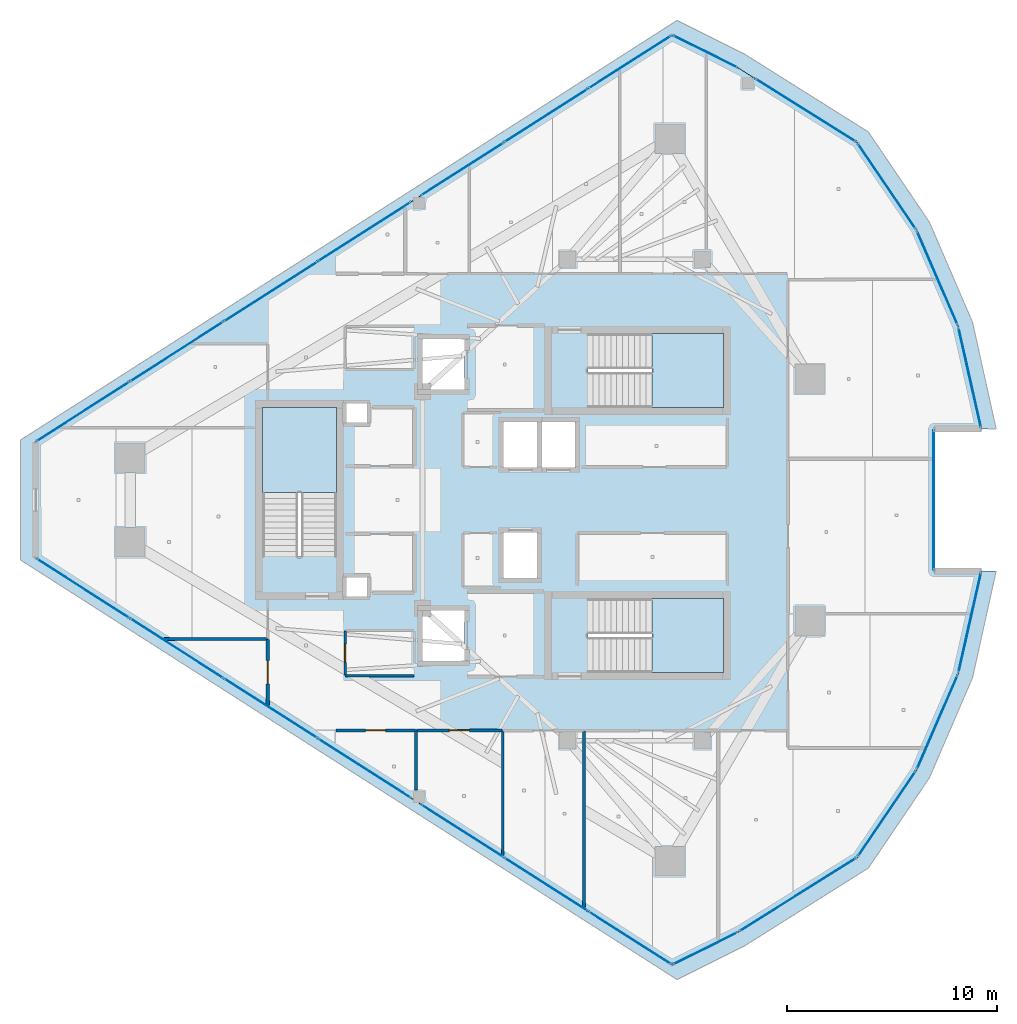
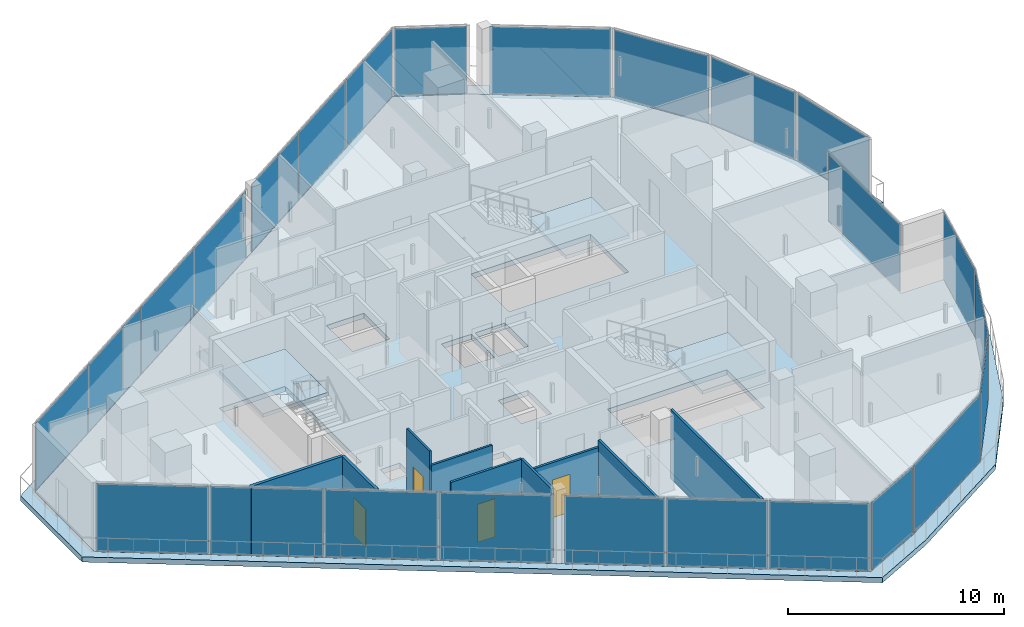
# One storey, part 15 of 25: 25 plates, 9 walls, 5 slabs, 4 doors, 4 openings, 18 elements without a shape of their own.
"""IFC4 building model written with IfcOpenShell, lengths in metres."""

import ifcopenshell
import ifcopenshell.guid

model = None  # the IFC model being written
_history = None  # IfcOwnerHistory: only IFC2X3 demands one
_inside = {}  # id of a spatial element -> (the spatial element, [elements in it])
_under = {}  # id of a project, library or spatial element -> (it, [spatial elements below it])
_declared = {}  # id of a project -> (the project, [libraries it declares])
_typed = {}  # id of a type object -> (the type object, [elements of that type])
_made_of = {}  # id of a material, layer set ... -> (it, [elements and type objects made of it])


def new_model(schema):
    """Start an empty IFC model of exactly this schema.

    Asked for "IFC4X3", IfcOpenShell would pick the latest addendum, in which some entities
    have other attributes; the version numbers below select the first issue.
    IFC2X3 requires an IfcOwnerHistory on every rooted entity: one is made here for all.
    """
    global model, _history
    if schema == "IFC4X3":
        model = ifcopenshell.file(schema_version=(4, 3, 0, 0))
    else:
        model = ifcopenshell.file(schema=schema)
    _inside.clear()
    _under.clear()
    _declared.clear()
    _typed.clear()
    _made_of.clear()
    _history = None
    if model.schema == "IFC2X3":
        org = make("IfcOrganization", Name="unknown")
        user = make(
            "IfcPersonAndOrganization",
            ThePerson=make("IfcPerson", FamilyName="unknown"),
            TheOrganization=org,
        )
        app = make(
            "IfcApplication",
            ApplicationDeveloper=org,
            Version="unknown",
            ApplicationFullName="unknown",
            ApplicationIdentifier="unknown",
        )
        _history = make(
            "IfcOwnerHistory",
            OwningUser=user,
            OwningApplication=app,
            ChangeAction="ADDED",
            CreationDate=0,
        )
    return model


def make(cls, **values):
    """One entity of the class cls with the attributes given. An attribute that is None is left unset."""
    return model.create_entity(
        cls, **{name: value for name, value in values.items() if value is not None}
    )


def rooted(cls, **values):
    """An entity with a GlobalId (a new one), such as an element, a storey or a relation."""
    return make(cls, GlobalId=ifcopenshell.guid.new(), OwnerHistory=_history, **values)


def si_unit(unit_type, name, prefix=None):
    """IfcSIUnit, for example si_unit("LENGTHUNIT", "METRE", prefix="MILLI")."""
    return make("IfcSIUnit", UnitType=unit_type, Prefix=prefix, Name=name)


def assignment(units):
    """IfcUnitAssignment: the units of a project."""
    return None if units is None else make("IfcUnitAssignment", Units=units)


def point(xyz):
    """IfcCartesianPoint."""
    return None if xyz is None else make("IfcCartesianPoint", Coordinates=xyz)


def direction(xyz):
    """IfcDirection."""
    return None if xyz is None else make("IfcDirection", DirectionRatios=xyz)


def frame(location, z_axis=None, x_axis=None):
    """IfcAxis2Placement3D, a coordinate frame: its origin and axes. An axis left out is left unset."""
    return make(
        "IfcAxis2Placement3D",
        Location=point(location),
        Axis=direction(z_axis),
        RefDirection=direction(x_axis),
    )


def frame_2d(location, x_axis=None):
    """IfcAxis2Placement2D, a coordinate frame in the plane: its origin and x axis."""
    return make(
        "IfcAxis2Placement2D", Location=point(location), RefDirection=direction(x_axis)
    )


def origin():
    """The frame at (0, 0, 0) with its axes left unset."""
    return frame((0.0, 0.0, 0.0))


def origin_2d():
    """The frame at (0, 0) in the plane with its x axis left unset."""
    return frame_2d((0.0, 0.0))


def place(relative_to, where):
    """IfcLocalPlacement: puts the frame where relative to a parent placement (None: the world)."""
    return make(
        "IfcLocalPlacement", PlacementRelTo=relative_to, RelativePlacement=where
    )


def context(
    kind, dimensions, precision=None, world=None, true_north=None, identifier=None
):
    """IfcGeometricRepresentationContext, for example the 3D "Model" context."""
    return make(
        "IfcGeometricRepresentationContext",
        ContextIdentifier=identifier,
        ContextType=kind,
        CoordinateSpaceDimension=dimensions,
        Precision=precision,
        WorldCoordinateSystem=world,
        TrueNorth=true_north,
    )


def subcontext(parent, identifier, kind, view, scale=None):
    """IfcGeometricRepresentationSubContext, for example "Body" below "Model"."""
    return make(
        "IfcGeometricRepresentationSubContext",
        ContextIdentifier=identifier,
        ContextType=kind,
        ParentContext=parent,
        TargetScale=scale,
        TargetView=view,
    )


def project(units=None, contexts=None):
    """IfcProject with its units and contexts."""
    return rooted(
        "IfcProject",
        Name="project",
        RepresentationContexts=contexts,
        UnitsInContext=assignment(units),
    )


def spatial(cls, under=None, at=None, **own):
    """A site, building, storey or space (cls), placed at a placement, below another one or the project."""
    s = rooted(cls, ObjectPlacement=at, **own)
    if under is not None:
        _under.setdefault(under.id(), (under, []))[1].append(s)
    return s


def polyline(points):
    """IfcPolyline through the points."""
    return make("IfcPolyline", Points=[point(p) for p in points])


def profile(cls, at=None, kind="AREA", **sizes):
    """A parametric profile (cls). Its sizes go by their IFC names, for example OverallWidth=200.0."""
    return make(cls, ProfileType=kind, Position=at, **sizes)


def rectangle(**sizes):
    """IfcRectangleProfileDef."""
    return profile("IfcRectangleProfileDef", **sizes)


def outline(outer, holes=None, kind="AREA"):
    """IfcArbitraryClosedProfileDef: a profile drawn as a closed curve; with holes, ...WithVoids."""
    if holes is None:
        return make("IfcArbitraryClosedProfileDef", ProfileType=kind, OuterCurve=outer)
    return make(
        "IfcArbitraryProfileDefWithVoids",
        ProfileType=kind,
        OuterCurve=outer,
        InnerCurves=holes,
    )


def extrude(swept, where, along, depth):
    """IfcExtrudedAreaSolid: the profile swept, set in the frame where, extruded along a direction by depth."""
    return make(
        "IfcExtrudedAreaSolid",
        SweptArea=swept,
        Position=where,
        ExtrudedDirection=direction(along),
        Depth=depth,
    )


def shape(context_of_items, identifier, shape_type, items):
    """IfcShapeRepresentation: the items that make up one representation, for example the "Body"."""
    return make(
        "IfcShapeRepresentation",
        ContextOfItems=context_of_items,
        RepresentationIdentifier=identifier,
        RepresentationType=shape_type,
        Items=items,
    )


def material(Name=None, Category=None):
    """IfcMaterial."""
    return make("IfcMaterial", Name=Name, Category=Category)


def layer(
    of_material, thickness, ventilated=None, Name=None, Category=None, Priority=None
):
    """IfcMaterialLayer: one layer of a wall or slab, of a material (None: an air gap)."""
    return make(
        "IfcMaterialLayer",
        Material=of_material,
        LayerThickness=thickness,
        IsVentilated=ventilated,
        Name=Name,
        Category=Category,
        Priority=Priority,
    )


def layer_set(layers, Name=None):
    """IfcMaterialLayerSet."""
    return make("IfcMaterialLayerSet", MaterialLayers=layers, LayerSetName=Name)


def made_of(thing, what):
    """Note that an element or type object is made of a material, layer set ...; save() writes the relation."""
    if what is not None:
        _made_of.setdefault(what.id(), (what, []))[1].append(thing)
    return thing


def type_object(cls, material=None, **own):
    """A type object (cls), such as IfcWallType, which elements share."""
    return made_of(rooted(cls, **own), material)


def element(
    cls,
    number,
    at=None,
    inside=None,
    cuts=None,
    type_object=None,
    material=None,
    context=None,
    identifier="Body",
    shape_type=None,
    held_by="IfcProductDefinitionShape",
    body=None,
    shapes=None,
    **own,
):
    """One element of the class cls, such as IfcWall. Its Tag is "e" and its number.

    at: its placement. inside: the storey or other place that contains it. cuts: it is an
    opening in that element (IfcRelVoidsElement). A single representation is given by context,
    identifier, shape_type and body (its items); several are given by shapes. held_by: the class
    of the entity that holds the representations. save() writes the other relations.
    """
    e = rooted(cls, Tag="e%d" % number, ObjectPlacement=at, **own)
    if body is not None:
        shapes = [shape(context, identifier, shape_type, body)]
    if shapes is not None:
        e.Representation = make(held_by, Representations=shapes)
    if inside is not None:
        _inside.setdefault(inside.id(), (inside, []))[1].append(e)
    if cuts is not None:
        rooted(
            "IfcRelVoidsElement", RelatingBuildingElement=cuts, RelatedOpeningElement=e
        )
    if type_object is not None:
        _typed.setdefault(type_object.id(), (type_object, []))[1].append(e)
    return made_of(e, material)


def fill(opening, filler):
    """IfcRelFillsElement: the door or window that sits in an opening."""
    return rooted(
        "IfcRelFillsElement",
        RelatingOpeningElement=opening,
        RelatedBuildingElement=filler,
    )


def aggregate(whole, parts):
    """IfcRelAggregates: a whole, such as a stair, and the parts it consists of."""
    return rooted("IfcRelAggregates", RelatingObject=whole, RelatedObjects=parts)


def save(model, path):
    """Write the relations noted so far, then the file.

    IfcRelAggregates (storeys below a building ...), IfcRelContainedInSpatialStructure (elements
    in a storey), IfcRelDefinesByType, IfcRelAssociatesMaterial and IfcRelDeclares: one each for
    every whole, place, type object, material and project.
    """
    for whole, parts in _under.values():
        aggregate(whole, parts)
    for where, things in _inside.values():
        rooted(
            "IfcRelContainedInSpatialStructure",
            RelatedElements=things,
            RelatingStructure=where,
        )
    for kind, things in _typed.values():
        rooted("IfcRelDefinesByType", RelatedObjects=things, RelatingType=kind)
    for what, things in _made_of.values():
        rooted("IfcRelAssociatesMaterial", RelatedObjects=things, RelatingMaterial=what)
    for by, libraries in _declared.values():
        rooted("IfcRelDeclares", RelatingContext=by, RelatedDefinitions=libraries)
    model.write(path)


model = new_model("IFC4")

# Units and contexts
model_context = context("Model", 3, precision=1e-05, world=origin(), true_north=direction((0.0, 1.0)))
body_context = subcontext(model_context, "Body", "Model", "MODEL_VIEW")
ifc_project = project(units=[si_unit("LENGTHUNIT", "METRE"), si_unit("AREAUNIT", "SQUARE_METRE"), si_unit("VOLUMEUNIT", "CUBIC_METRE"), si_unit("PLANEANGLEUNIT", "RADIAN"), si_unit("MASSUNIT", "GRAM", prefix="KILO")], contexts=[model_context])

# Site, building, storey
site_placement = place(None, origin())
site = spatial("IfcSite", under=ifc_project, at=site_placement, CompositionType="ELEMENT")
building_placement = place(site_placement, origin())
building = spatial("IfcBuilding", under=site, at=building_placement, Name="Qorvath Tower", CompositionType="ELEMENT")
storey_placement = place(building_placement, frame((0.0, 0.0, 306.0)))
storey = spatial("IfcBuildingStorey", under=building, at=storey_placement, Name="L71", CompositionType="ELEMENT", Elevation=306.0)

# Curtain wall, plates
ifc_material_1 = material(Name="Anodised aluminium and triple low-E glass", Category="aluminium")
ifc_layer_1 = layer(ifc_material_1, 0.179931640625)
ifc_layer_set_1 = layer_set([ifc_layer_1], Name="CW-SYS-4")
curtain_wall_type = type_object("IfcCurtainWallType", Name="CW-SYS-4", PredefinedType="NOTDEFINED", material=ifc_layer_set_1)
curtain_wall_1_placement = place(storey_placement, origin())
curtain_wall_1 = element("IfcCurtainWall", 1, at=curtain_wall_1_placement, inside=storey, type_object=curtain_wall_type, Name="Curtain Wall CW-4 CW-T-L71-2.1", PredefinedType="NOTDEFINED")
ifc_material_2 = material(Name="Acoustic laminated low-E glass", Category="glass")
ifc_layer_2 = layer(ifc_material_2, 0.0380859375)
ifc_layer_set_2 = layer_set([ifc_layer_2], Name="CWP-GLZ-38")
plate_type = type_object("IfcPlateType", Name="CWP-GLZ-38", PredefinedType="CURTAIN_PANEL", material=ifc_layer_set_2)
plate_1_placement = place(storey_placement, frame((-46.646240234375, -4.204345703125, 0.06494140625), z_axis=(0.0, 0.0, 1.0), x_axis=(0.842601697255, -0.538537259419, 0.0)))
plate_1 = element("IfcPlate", 2, at=plate_1_placement, type_object=plate_type, Name="CW-4 panel 1.1", PredefinedType="CURTAIN_PANEL", context=body_context, shape_type="SweptSolid", body=[
    extrude(rectangle(XDim=5.19921875, YDim=0.0380859375, at=origin_2d()), origin(), (0.0, 0.0, 1.0), 3.77978515625),
])
plate_2_placement = place(storey_placement, frame((-42.1865234375, -7.0546875, 0.06494140625), z_axis=(0.0, 0.0, 1.0), x_axis=(0.842601697255, -0.538537259419, 0.0)))
plate_2 = element("IfcPlate", 3, at=plate_2_placement, type_object=plate_type, Name="CW-4 panel 2.1", PredefinedType="CURTAIN_PANEL", context=body_context, shape_type="SweptSolid", body=[
    extrude(rectangle(XDim=5.23681640625, YDim=0.0380859375, at=origin_2d()), origin(), (0.0, 0.0, 1.0), 3.77978515625),
])
plate_3_placement = place(storey_placement, frame((-37.710693359375, -9.915283203125, 0.06494140625), z_axis=(0.0, 0.0, 1.0), x_axis=(0.842601697255, -0.538537259419, 0.0)))
plate_3 = element("IfcPlate", 4, at=plate_3_placement, type_object=plate_type, Name="CW-4 panel 3.1", PredefinedType="CURTAIN_PANEL", context=body_context, shape_type="SweptSolid", body=[
    extrude(rectangle(XDim=5.23681640625, YDim=0.0380859375, at=origin_2d()), origin(), (0.0, 0.0, 1.0), 3.77978515625),
])
plate_4_placement = place(storey_placement, frame((-33.2509765625, -12.765625, 0.06494140625), z_axis=(0.0, 0.0, 1.0), x_axis=(0.842601697255, -0.538537259419, 0.0)))
plate_4 = element("IfcPlate", 5, at=plate_4_placement, type_object=plate_type, Name="CW-4 panel 4.1", PredefinedType="CURTAIN_PANEL", context=body_context, shape_type="SweptSolid", body=[
    extrude(rectangle(XDim=5.19921875, YDim=0.0380859375, at=origin_2d()), origin(), (0.0, 0.0, 1.0), 3.77978515625),
])
aggregate(curtain_wall_1, [plate_1, plate_2, plate_3, plate_4])

curtain_wall_2_placement = place(storey_placement, origin())
curtain_wall_2 = element("IfcCurtainWall", 6, at=curtain_wall_2_placement, inside=storey, type_object=curtain_wall_type, Name="Curtain Wall CW-4 CW-T-L71-2.2", PredefinedType="NOTDEFINED")
plate_5_placement = place(storey_placement, frame((-28.609619140625, -15.732177734375, 0.06494140625), z_axis=(0.0, 0.0, 1.0), x_axis=(0.842604350765, -0.538533107683, 0.0)))
plate_5 = element("IfcPlate", 7, at=plate_5_placement, type_object=plate_type, Name="CW-4 panel 1.1", PredefinedType="CURTAIN_PANEL", context=body_context, shape_type="SweptSolid", body=[
    extrude(rectangle(XDim=4.632568359375, YDim=0.0380859375, at=origin_2d()), origin(), (0.0, 0.0, 1.0), 3.77978515625),
])
plate_6_placement = place(storey_placement, frame((-24.627197265625, -18.27734375, 0.06494140625), z_axis=(0.0, 0.0, 1.0), x_axis=(0.842604350765, -0.538533107683, 0.0)))
plate_6 = element("IfcPlate", 8, at=plate_6_placement, type_object=plate_type, Name="CW-4 panel 2.1", PredefinedType="CURTAIN_PANEL", context=body_context, shape_type="SweptSolid", body=[
    extrude(rectangle(XDim=4.670166015625, YDim=0.0380859375, at=origin_2d()), origin(), (0.0, 0.0, 1.0), 3.77978515625),
])
plate_7_placement = place(storey_placement, frame((-20.644775390625, -20.822509765625, 0.06494140625), z_axis=(0.0, 0.0, 1.0), x_axis=(0.842604350765, -0.538533107683, 0.0)))
plate_7 = element("IfcPlate", 9, at=plate_7_placement, type_object=plate_type, Name="CW-4 panel 3.1", PredefinedType="CURTAIN_PANEL", context=body_context, shape_type="SweptSolid", body=[
    extrude(rectangle(XDim=4.632568359375, YDim=0.0380859375, at=origin_2d()), origin(), (0.0, 0.0, 1.0), 3.77978515625),
])
aggregate(curtain_wall_2, [plate_5, plate_6, plate_7])

# Curtain wall, plate
curtain_wall_3_placement = place(storey_placement, origin())
curtain_wall_3 = element("IfcCurtainWall", 10, at=curtain_wall_3_placement, inside=storey, type_object=curtain_wall_type, Name="Curtain Wall CW-4 CW-T-L71-3.1", PredefinedType="NOTDEFINED")
plate_8_placement = place(storey_placement, frame((-17.050537109375, -21.32080078125, 0.06494140625), z_axis=(0.0, 0.0, 1.0), x_axis=(0.894421527703, 0.447224921915, 0.0)))
plate_8 = element("IfcPlate", 11, at=plate_8_placement, type_object=plate_type, Name="CW-4 panel 1.1", PredefinedType="CURTAIN_PANEL", context=body_context, shape_type="SweptSolid", body=[
    extrude(rectangle(XDim=3.381591796875, YDim=0.0380859375, at=origin_2d()), origin(), (0.0, 0.0, 1.0), 3.77978515625),
])
aggregate(curtain_wall_3, [plate_8])

curtain_wall_4_placement = place(storey_placement, origin())
curtain_wall_4 = element("IfcCurtainWall", 12, at=curtain_wall_4_placement, inside=storey, type_object=curtain_wall_type, Name="Curtain Wall CW-4 CW-T-L71-4.1", PredefinedType="NOTDEFINED")
plate_9_placement = place(storey_placement, frame((-12.64990234375, -18.76123046875, 0.06494140625), z_axis=(0.0, 0.0, 1.0), x_axis=(0.847150424099, 0.531353139586, 0.0)))
plate_9 = element("IfcPlate", 13, at=plate_9_placement, type_object=plate_type, Name="CW-4 panel 1.1", PredefinedType="CURTAIN_PANEL", context=body_context, shape_type="SweptSolid", body=[
    extrude(rectangle(XDim=6.510986328125, YDim=0.0380859375, at=origin_2d()), origin(), (0.0, 0.0, 1.0), 3.77978515625),
])
aggregate(curtain_wall_4, [plate_9])

curtain_wall_5_placement = place(storey_placement, origin())
curtain_wall_5 = element("IfcCurtainWall", 14, at=curtain_wall_5_placement, inside=storey, type_object=curtain_wall_type, Name="Curtain Wall CW-4 CW-T-L71-5.1", PredefinedType="NOTDEFINED")
plate_10_placement = place(storey_placement, frame((-8.4228515625, -14.923095703125, 0.06494140625), z_axis=(0.0, 0.0, 1.0), x_axis=(0.562028356166, 0.827117964298, 0.0)))
plate_10 = element("IfcPlate", 15, at=plate_10_placement, type_object=plate_type, Name="CW-4 panel 1.1", PredefinedType="CURTAIN_PANEL", context=body_context, shape_type="SweptSolid", body=[
    extrude(rectangle(XDim=4.851806640625, YDim=0.0380859375, at=origin_2d()), origin(), (0.0, 0.0, 1.0), 3.77978515625),
])
aggregate(curtain_wall_5, [plate_10])

curtain_wall_6_placement = place(storey_placement, origin())
curtain_wall_6 = element("IfcCurtainWall", 16, at=curtain_wall_6_placement, inside=storey, type_object=curtain_wall_type, Name="Curtain Wall CW-4 CW-T-L71-6.1", PredefinedType="NOTDEFINED")
plate_11_placement = place(storey_placement, frame((-6.022705078125, -10.56005859375, 0.06494140625), z_axis=(0.0, 0.0, 1.0), x_axis=(0.397706747219, 0.917512584773, 0.0)))
plate_11 = element("IfcPlate", 17, at=plate_11_placement, type_object=plate_type, Name="CW-4 panel 1.1", PredefinedType="CURTAIN_PANEL", context=body_context, shape_type="SweptSolid", body=[
    extrude(rectangle(XDim=4.8515625, YDim=0.0380859375, at=origin_2d()), origin(), (0.0, 0.0, 1.0), 3.77978515625),
])
aggregate(curtain_wall_6, [plate_11])

curtain_wall_7_placement = place(storey_placement, origin())
curtain_wall_7 = element("IfcCurtainWall", 18, at=curtain_wall_7_placement, inside=storey, type_object=curtain_wall_type, Name="Curtain Wall CW-4 CW-T-L71-7.1", PredefinedType="NOTDEFINED")
plate_12_placement = place(storey_placement, frame((-4.4794921875, -5.82568359375, 0.06494140625), z_axis=(0.0, 0.0, 1.0), x_axis=(0.21940229808, 0.975634476429, 0.0)))
plate_12 = element("IfcPlate", 19, at=plate_12_placement, type_object=plate_type, Name="CW-4 panel 1.1", PredefinedType="CURTAIN_PANEL", context=body_context, shape_type="SweptSolid", body=[
    extrude(rectangle(XDim=4.851806640625, YDim=0.0380859375, at=origin_2d()), origin(), (0.0, 0.0, 1.0), 3.77978515625),
])
aggregate(curtain_wall_7, [plate_12])

curtain_wall_8_placement = place(storey_placement, origin())
curtain_wall_8 = element("IfcCurtainWall", 20, at=curtain_wall_8_placement, inside=storey, type_object=curtain_wall_type, Name="Curtain Wall CW-4 CW-T-L71-9.1", PredefinedType="NOTDEFINED")
plate_13_placement = place(storey_placement, frame((-6.18798828125, 0.0, 0.06494140625), z_axis=(0.0, 0.0, 1.0), x_axis=(0.0, 1.0, 0.0)))
plate_13 = element("IfcPlate", 21, at=plate_13_placement, type_object=plate_type, Name="CW-4 panel 1.1", PredefinedType="CURTAIN_PANEL", context=body_context, shape_type="SweptSolid", body=[
    extrude(rectangle(XDim=6.621337890625, YDim=0.0380859375, at=origin_2d()), origin(), (0.0, 0.0, 1.0), 3.77978515625),
])
aggregate(curtain_wall_8, [plate_13])

curtain_wall_9_placement = place(storey_placement, origin())
curtain_wall_9 = element("IfcCurtainWall", 22, at=curtain_wall_9_placement, inside=storey, type_object=curtain_wall_type, Name="Curtain Wall CW-4 CW-T-L71-11.1", PredefinedType="NOTDEFINED")
plate_14_placement = place(storey_placement, frame((-4.4794921875, 5.82568359375, 0.06494140625), z_axis=(0.0, 0.0, 1.0), x_axis=(-0.21940229808, 0.975634476429, 0.0)))
plate_14 = element("IfcPlate", 23, at=plate_14_placement, type_object=plate_type, Name="CW-4 panel 1.1", PredefinedType="CURTAIN_PANEL", context=body_context, shape_type="SweptSolid", body=[
    extrude(rectangle(XDim=4.851806640625, YDim=0.0380859375, at=origin_2d()), origin(), (0.0, 0.0, 1.0), 3.77978515625),
])
aggregate(curtain_wall_9, [plate_14])

curtain_wall_10_placement = place(storey_placement, origin())
curtain_wall_10 = element("IfcCurtainWall", 24, at=curtain_wall_10_placement, inside=storey, type_object=curtain_wall_type, Name="Curtain Wall CW-4 CW-T-L71-12.1", PredefinedType="NOTDEFINED")
plate_15_placement = place(storey_placement, frame((-6.022705078125, 10.56005859375, 0.06494140625), z_axis=(0.0, 0.0, 1.0), x_axis=(-0.397706747219, 0.917512584773, 0.0)))
plate_15 = element("IfcPlate", 25, at=plate_15_placement, type_object=plate_type, Name="CW-4 panel 1.1", PredefinedType="CURTAIN_PANEL", context=body_context, shape_type="SweptSolid", body=[
    extrude(rectangle(XDim=4.8515625, YDim=0.0380859375, at=origin_2d()), origin(), (0.0, 0.0, 1.0), 3.77978515625),
])
aggregate(curtain_wall_10, [plate_15])

curtain_wall_11_placement = place(storey_placement, origin())
curtain_wall_11 = element("IfcCurtainWall", 26, at=curtain_wall_11_placement, inside=storey, type_object=curtain_wall_type, Name="Curtain Wall CW-4 CW-T-L71-13.1", PredefinedType="NOTDEFINED")
plate_16_placement = place(storey_placement, frame((-8.4228515625, 14.923095703125, 0.06494140625), z_axis=(0.0, 0.0, 1.0), x_axis=(-0.562028356166, 0.827117964298, 0.0)))
plate_16 = element("IfcPlate", 27, at=plate_16_placement, type_object=plate_type, Name="CW-4 panel 1.1", PredefinedType="CURTAIN_PANEL", context=body_context, shape_type="SweptSolid", body=[
    extrude(rectangle(XDim=4.851806640625, YDim=0.0380859375, at=origin_2d()), origin(), (0.0, 0.0, 1.0), 3.77978515625),
])
aggregate(curtain_wall_11, [plate_16])

curtain_wall_12_placement = place(storey_placement, origin())
curtain_wall_12 = element("IfcCurtainWall", 28, at=curtain_wall_12_placement, inside=storey, type_object=curtain_wall_type, Name="Curtain Wall CW-4 CW-T-L71-14.1", PredefinedType="NOTDEFINED")
plate_17_placement = place(storey_placement, frame((-12.27734375, 18.527587890625, 0.06494140625), z_axis=(0.0, 0.0, 1.0), x_axis=(-0.847146947134, 0.531358682964, 0.0)))
plate_17 = element("IfcPlate", 29, at=plate_17_placement, type_object=plate_type, Name="CW-4 panel 1.1", PredefinedType="CURTAIN_PANEL", context=body_context, shape_type="SweptSolid", body=[
    extrude(rectangle(XDim=5.63134765625, YDim=0.0380859375, at=origin_2d()), origin(), (0.0, 0.0, 1.0), 3.77978515625),
])
aggregate(curtain_wall_12, [plate_17])

curtain_wall_13_placement = place(storey_placement, origin())
curtain_wall_13 = element("IfcCurtainWall", 30, at=curtain_wall_13_placement, inside=storey, type_object=curtain_wall_type, Name="Curtain Wall CW-4 CW-T-L71-15.1", PredefinedType="NOTDEFINED")
plate_18_placement = place(storey_placement, frame((-17.050537109375, 21.32080078125, 0.06494140625), z_axis=(0.0, 0.0, 1.0), x_axis=(-0.894421527703, 0.447224921915, 0.0)))
plate_18 = element("IfcPlate", 31, at=plate_18_placement, type_object=plate_type, Name="CW-4 panel 1.1", PredefinedType="CURTAIN_PANEL", context=body_context, shape_type="SweptSolid", body=[
    extrude(rectangle(XDim=3.381591796875, YDim=0.0380859375, at=origin_2d()), origin(), (0.0, 0.0, 1.0), 3.77978515625),
])
aggregate(curtain_wall_13, [plate_18])

# Curtain wall, plates
curtain_wall_14_placement = place(storey_placement, origin())
curtain_wall_14 = element("IfcCurtainWall", 32, at=curtain_wall_14_placement, inside=storey, type_object=curtain_wall_type, Name="Curtain Wall CW-4 CW-T-L71-16.1", PredefinedType="NOTDEFINED")
plate_19_placement = place(storey_placement, frame((-20.644775390625, 20.822509765625, 0.06494140625), z_axis=(0.0, 0.0, 1.0), x_axis=(-0.842604350765, -0.538533107683, 0.0)))
plate_19 = element("IfcPlate", 33, at=plate_19_placement, type_object=plate_type, Name="CW-4 panel 1.1", PredefinedType="CURTAIN_PANEL", context=body_context, shape_type="SweptSolid", body=[
    extrude(rectangle(XDim=4.632568359375, YDim=0.0380859375, at=origin_2d()), origin(), (0.0, 0.0, 1.0), 3.77978515625),
])
plate_20_placement = place(storey_placement, frame((-24.627197265625, 18.27734375, 0.06494140625), z_axis=(0.0, 0.0, 1.0), x_axis=(-0.842604350765, -0.538533107683, 0.0)))
plate_20 = element("IfcPlate", 34, at=plate_20_placement, type_object=plate_type, Name="CW-4 panel 2.1", PredefinedType="CURTAIN_PANEL", context=body_context, shape_type="SweptSolid", body=[
    extrude(rectangle(XDim=4.670166015625, YDim=0.0380859375, at=origin_2d()), origin(), (0.0, 0.0, 1.0), 3.77978515625),
])
plate_21_placement = place(storey_placement, frame((-28.609619140625, 15.732177734375, 0.06494140625), z_axis=(0.0, 0.0, 1.0), x_axis=(-0.842604350765, -0.538533107683, 0.0)))
plate_21 = element("IfcPlate", 35, at=plate_21_placement, type_object=plate_type, Name="CW-4 panel 3.1", PredefinedType="CURTAIN_PANEL", context=body_context, shape_type="SweptSolid", body=[
    extrude(rectangle(XDim=4.632568359375, YDim=0.0380859375, at=origin_2d()), origin(), (0.0, 0.0, 1.0), 3.77978515625),
])
aggregate(curtain_wall_14, [plate_19, plate_20, plate_21])

curtain_wall_15_placement = place(storey_placement, origin())
curtain_wall_15 = element("IfcCurtainWall", 36, at=curtain_wall_15_placement, inside=storey, type_object=curtain_wall_type, Name="Curtain Wall CW-4 CW-T-L71-16.2", PredefinedType="NOTDEFINED")
plate_22_placement = place(storey_placement, frame((-33.2509765625, 12.765625, 0.06494140625), z_axis=(0.0, 0.0, 1.0), x_axis=(-0.842601697255, -0.538537259419, 0.0)))
plate_22 = element("IfcPlate", 37, at=plate_22_placement, type_object=plate_type, Name="CW-4 panel 1.1", PredefinedType="CURTAIN_PANEL", context=body_context, shape_type="SweptSolid", body=[
    extrude(rectangle(XDim=5.19921875, YDim=0.0380859375, at=origin_2d()), origin(), (0.0, 0.0, 1.0), 3.77978515625),
])
plate_23_placement = place(storey_placement, frame((-37.710693359375, 9.915283203125, 0.06494140625), z_axis=(0.0, 0.0, 1.0), x_axis=(-0.842601697255, -0.538537259419, 0.0)))
plate_23 = element("IfcPlate", 38, at=plate_23_placement, type_object=plate_type, Name="CW-4 panel 2.1", PredefinedType="CURTAIN_PANEL", context=body_context, shape_type="SweptSolid", body=[
    extrude(rectangle(XDim=5.23681640625, YDim=0.0380859375, at=origin_2d()), origin(), (0.0, 0.0, 1.0), 3.77978515625),
])
plate_24_placement = place(storey_placement, frame((-42.1865234375, 7.0546875, 0.06494140625), z_axis=(0.0, 0.0, 1.0), x_axis=(-0.842601697255, -0.538537259419, 0.0)))
plate_24 = element("IfcPlate", 39, at=plate_24_placement, type_object=plate_type, Name="CW-4 panel 3.1", PredefinedType="CURTAIN_PANEL", context=body_context, shape_type="SweptSolid", body=[
    extrude(rectangle(XDim=5.23681640625, YDim=0.0380859375, at=origin_2d()), origin(), (0.0, 0.0, 1.0), 3.77978515625),
])
plate_25_placement = place(storey_placement, frame((-46.646240234375, 4.204345703125, 0.06494140625), z_axis=(0.0, 0.0, 1.0), x_axis=(-0.842601697255, -0.538537259419, 0.0)))
plate_25 = element("IfcPlate", 40, at=plate_25_placement, type_object=plate_type, Name="CW-4 panel 4.1", PredefinedType="CURTAIN_PANEL", context=body_context, shape_type="SweptSolid", body=[
    extrude(rectangle(XDim=5.19921875, YDim=0.0380859375, at=origin_2d()), origin(), (0.0, 0.0, 1.0), 3.77978515625),
])
aggregate(curtain_wall_15, [plate_22, plate_23, plate_24, plate_25])

# Slab
ifc_material_3 = material(Name="Concrete C50/60", Category="concrete")
ifc_layer_3 = layer(ifc_material_3, 0.2900390625)
ifc_layer_set_3 = layer_set([ifc_layer_3], Name="SL-EXEC-290")
slab_type_1 = type_object("IfcSlabType", Name="SL-EXEC-290", PredefinedType="FLOOR", material=ifc_layer_set_3)
slab_1_placement = place(storey_placement, frame((0.0, 0.0, -0.2900390625)))
element("IfcSlab", 41, at=slab_1_placement, inside=storey, type_object=slab_type_1, Name="Tower L71 Interior Floor Slab", PredefinedType="FLOOR", context=body_context, shape_type="SweptSolid", body=[
    extrude(outline(polyline([(-48.89990234375, 2.763916015625), (-48.89990234375, -2.763916015625), (-18.6298828125, -22.1103515625), (-15.47119140625, -20.531005859375), (-9.828369140625, -16.99169921875), (-7.017333984375, -12.854736328125), (-5.028076171875, -8.265625), (-3.9306640625, -3.3857421875), (-6.18798828125, -3.3857421875), (-6.18798828125, 3.3857421875), (-3.9306640625, 3.3857421875), (-5.028076171875, 8.265625), (-7.017333984375, 12.854736328125), (-9.828369140625, 16.99169921875), (-15.47119140625, 20.531005859375), (-18.6298828125, 22.1103515625), (-48.89990234375, 2.763916015625)]), holes=[polyline([(-16.2451171875, -8.199951171875), (-22.625, -8.199951171875), (-22.625, -4.68994140625), (-16.2451171875, -4.68994140625), (-16.2451171875, -8.199951171875)]), polyline([(-22.625, 4.39990234375), (-22.625, 7.909912109375), (-16.2451171875, 7.909912109375), (-16.2451171875, 4.39990234375), (-22.625, 4.39990234375)]), polyline([(-23.25, 1.550048828125), (-24.85009765625, 1.550048828125), (-24.85009765625, 3.699951171875), (-23.25, 3.699951171875), (-23.25, 1.550048828125)]), polyline([(-26.64990234375, -3.699951171875), (-26.64990234375, -1.550048828125), (-25.050048828125, -1.550048828125), (-25.050048828125, -3.699951171875), (-26.64990234375, -3.699951171875)]), polyline([(-25.050048828125, 1.550048828125), (-26.64990234375, 1.550048828125), (-26.64990234375, 3.699951171875), (-25.050048828125, 3.699951171875), (-25.050048828125, 1.550048828125)]), polyline([(-28.5, -7.64990234375), (-30.5, -7.64990234375), (-30.5, -5.25), (-28.5, -5.25), (-28.5, -7.64990234375)]), polyline([(-30.5, 5.25), (-30.5, 7.64990234375), (-28.5, 7.64990234375), (-28.5, 5.25), (-30.5, 5.25)]), polyline([(-33.10009765625, -4.6201171875), (-34.14990234375, -4.6201171875), (-34.14990234375, -3.64990234375), (-33.10009765625, -3.64990234375), (-33.10009765625, -4.6201171875)]), polyline([(-33.10009765625, 3.64990234375), (-34.14990234375, 3.64990234375), (-34.14990234375, 4.6201171875), (-33.10009765625, 4.6201171875), (-33.10009765625, 3.64990234375)]), polyline([(-34.60009765625, -2.675048828125), (-38.110107421875, -2.675048828125), (-38.110107421875, 4.35498046875), (-34.60009765625, 4.35498046875), (-34.60009765625, -2.675048828125)])]), origin(), (0.0, 0.0, 1.0), 0.2900390625),
])

# Stair, slab
ifc_material_4 = material(Name="Concrete C50/60", Category="concrete")
stair_type = type_object("IfcStairType", Name="ST-H420", PredefinedType="HALF_TURN_STAIR", material=ifc_material_4)
stair_1_placement = place(storey_placement, origin())
stair_1 = element("IfcStair", 42, at=stair_1_placement, inside=storey, type_object=stair_type, Name="L71 Tower Exit Stair 1", PredefinedType="HALF_TURN_STAIR")
ifc_material_5 = material(Name="Concrete C50/60", Category="concrete")
ifc_layer_4 = layer(ifc_material_5, 0.199951171875)
ifc_layer_set_4 = layer_set([ifc_layer_4], Name="SL-LND-200")
slab_type_2 = type_object("IfcSlabType", Name="SL-LND-200", PredefinedType="LANDING", material=ifc_layer_set_4)
slab_2_placement = place(storey_placement, frame((0.0, 0.0, 1.89990234375)))
slab_2 = element("IfcSlab", 43, at=slab_2_placement, type_object=slab_type_2, Name="TS1 landing 1", PredefinedType="LANDING", context=body_context, shape_type="SweptSolid", body=[
    extrude(outline(polyline([(-19.590087890625, 4.39990234375), (-16.199951171875, 4.39990234375), (-16.199951171875, 7.909912109375), (-19.590087890625, 7.909912109375), (-19.590087890625, 4.39990234375)])), origin(), (0.0, 0.0, 1.0), 0.2001953125),
])
aggregate(stair_1, [slab_2])

stair_2_placement = place(storey_placement, origin())
stair_2 = element("IfcStair", 44, at=stair_2_placement, inside=storey, type_object=stair_type, Name="L71 Tower Exit Stair 2", PredefinedType="HALF_TURN_STAIR")
slab_3_placement = place(storey_placement, frame((0.0, 0.0, 1.89990234375)))
slab_3 = element("IfcSlab", 45, at=slab_3_placement, type_object=slab_type_2, Name="TS2 landing 1", PredefinedType="LANDING", context=body_context, shape_type="SweptSolid", body=[
    extrude(outline(polyline([(-19.590087890625, -8.199951171875), (-16.199951171875, -8.199951171875), (-16.199951171875, -4.68994140625), (-19.590087890625, -4.68994140625), (-19.590087890625, -8.199951171875)])), origin(), (0.0, 0.0, 1.0), 0.2001953125),
])
aggregate(stair_2, [slab_3])

stair_3_placement = place(storey_placement, origin())
stair_3 = element("IfcStair", 46, at=stair_3_placement, inside=storey, type_object=stair_type, Name="L71 Tower Exit Stair 3", PredefinedType="HALF_TURN_STAIR")
slab_4_placement = place(storey_placement, frame((0.0, 0.0, 1.89990234375)))
slab_4 = element("IfcSlab", 47, at=slab_4_placement, type_object=slab_type_2, Name="TS3 landing 1", PredefinedType="LANDING", context=body_context, shape_type="SweptSolid", body=[
    extrude(outline(polyline([(-34.60009765625, 0.360107421875), (-34.60009765625, 4.39990234375), (-38.110107421875, 4.39990234375), (-38.110107421875, 0.360107421875), (-34.60009765625, 0.360107421875)])), origin(), (0.0, 0.0, 1.0), 0.2001953125),
])
aggregate(stair_3, [slab_4])

# Slab
ifc_material_6 = material(Name="Precast concrete C45/55", Category="concrete")
ifc_layer_5 = layer(ifc_material_6, 0.2900390625)
ifc_layer_set_5 = layer_set([ifc_layer_5], Name="SL-LOG-290")
slab_type_3 = type_object("IfcSlabType", Name="SL-LOG-290", PredefinedType="FLOOR", material=ifc_layer_set_5)
slab_5_placement = place(storey_placement, frame((0.0, 0.0, -0.2900390625)))
element("IfcSlab", 48, at=slab_5_placement, inside=storey, type_object=slab_type_3, Name="Tower L71 Perimeter Loggia and Terrace Slab", PredefinedType="FLOOR", context=body_context, shape_type="SweptSolid", body=[
    extrude(outline(polyline([(-3.9306640625, -3.3857421875), (-5.028076171875, -8.265625), (-7.017333984375, -12.854736328125), (-9.828369140625, -16.99169921875), (-15.47119140625, -20.531005859375), (-18.6298828125, -22.1103515625), (-48.89990234375, -2.763916015625), (-48.89990234375, 2.763916015625), (-18.6298828125, 22.1103515625), (-15.47119140625, 20.531005859375), (-9.828369140625, 16.99169921875), (-7.017333984375, 12.854736328125), (-5.028076171875, 8.265625), (-3.9306640625, 3.3857421875), (-3.226806640625, 3.3857421875), (-4.347412109375, 8.447998046875), (-6.397705078125, 13.210205078125), (-9.305419921875, 17.502685546875), (-15.141845703125, 21.17333984375), (-18.3994140625, 22.802001953125), (-49.616455078125, 2.850341796875), (-49.616455078125, -2.850341796875), (-18.3994140625, -22.802001953125), (-15.141845703125, -21.17333984375), (-9.305419921875, -17.502685546875), (-6.397705078125, -13.210205078125), (-4.347412109375, -8.447998046875), (-3.226806640625, -3.3857421875), (-3.9306640625, -3.3857421875)])), origin(), (0.0, 0.0, 1.0), 0.2900390625),
])

# Wall, opening, door
ifc_material_7 = material(Name="Double acoustic gypsum board on steel studs", Category="steel")
ifc_layer_6 = layer(ifc_material_7, 0.159912109375)
ifc_layer_set_6 = layer_set([ifc_layer_6], Name="IW-ACOUSTIC-160")
wall_type_1 = type_object("IfcWallType", Name="IW-ACOUSTIC-160", PredefinedType="PARTITIONING", material=ifc_layer_set_6)
wall_1_placement = place(storey_placement, frame((-37.85791015625, -9.7412109375, 0.0), z_axis=(0.0, 0.0, 1.0), x_axis=(0.0, 1.0, 0.0)))
wall_1 = element("IfcWall", 49, at=wall_1_placement, inside=storey, type_object=wall_type_1, Name="Interior Partition IW-T1-L71-055", PredefinedType="PARTITIONING", context=body_context, shape_type="SweptSolid", body=[
    extrude(rectangle(XDim=3.1044921875, YDim=0.159912109375, at=frame_2d((1.55224609375, 0.0))), origin(), (0.0, 0.0, 1.0), 3.909912109375),
])
opening_1_placement = place(wall_1_placement, frame((1.002197265625, 0.0, 0.0)))
opening_1 = element("IfcOpeningElement", 50, at=opening_1_placement, cuts=wall_1, Name="Opening D-T1-L71-19", PredefinedType="OPENING", context=body_context, shape_type="SweptSolid", body=[
    extrude(rectangle(XDim=1.10009765625, YDim=2.14990234375, at=frame_2d((0.550048828125, 1.074951171875))), frame((0.0, 0.08984375, 0.0), z_axis=(0.0, -1.0, 0.0), x_axis=(1.0, 0.0, 0.0)), (0.0, 0.0, 1.0), 0.179931640625),
])
ifc_material_8 = material(Name="Anodised aluminium acoustic framed glass", Category="aluminium")
door_type_1 = type_object("IfcDoorType", Name="D-03", OperationType="NOTDEFINED", PredefinedType="DOOR", material=ifc_material_8)
door_1_placement = place(opening_1_placement, origin())
door_1 = element("IfcDoor", 51, at=door_1_placement, inside=storey, type_object=door_type_1, Name="L71-14 Client Services Office Door D-T1-L71-19", OperationType="SINGLE_SWING_RIGHT", OverallHeight=2.14990234375, OverallWidth=1.10009765625, PredefinedType="DOOR", context=body_context, shape_type="SweptSolid", body=[
    extrude(rectangle(XDim=1.10009765625, YDim=2.14990234375, at=frame_2d((0.550048828125, 1.074951171875))), frame((0.0, 0.02490234375, 0.0), z_axis=(0.0, -1.0, 0.0), x_axis=(1.0, 0.0, 0.0)), (0.0, 0.0, 1.0), 0.050048828125),
])
fill(opening_1, door_1)

# Walls
wall_2_placement = place(storey_placement, frame((-37.8828125, -6.61181640625, 0.0), z_axis=(0.0, 0.0, 1.0), x_axis=(-1.0, 0.0, 0.0)))
element("IfcWall", 52, at=wall_2_placement, inside=storey, type_object=wall_type_1, Name="Interior Partition IW-T1-L71-056", PredefinedType="PARTITIONING", context=body_context, shape_type="SweptSolid", body=[
    extrude(rectangle(XDim=4.91650390625, YDim=0.159912109375, at=frame_2d((2.458251953125, 0.0))), origin(), (0.0, 0.0, 1.0), 3.909912109375),
])
ifc_material_9 = material(Name="Gypsum board on metal studs with mineral wool", Category="gypsum")
ifc_layer_7 = layer(ifc_material_9, 0.125)
ifc_layer_set_7 = layer_set([ifc_layer_7], Name="IW-PART-125")
wall_type_2 = type_object("IfcWallType", Name="IW-PART-125", PredefinedType="PARTITIONING", material=ifc_layer_set_7)
wall_3_placement = place(storey_placement, frame((-30.80908203125, -13.7841796875, 0.0), z_axis=(0.0, 0.0, 1.0), x_axis=(0.0, 1.0, 0.0)))
element("IfcWall", 53, at=wall_3_placement, inside=storey, type_object=wall_type_2, Name="Interior Partition IW-T1-L71-040", PredefinedType="PARTITIONING", context=body_context, shape_type="SweptSolid", body=[
    extrude(rectangle(XDim=2.80126953125, YDim=0.125, at=frame_2d((1.400634765625, 0.0))), origin(), (0.0, 0.0, 1.0), 3.909912109375),
])

# Wall, opening, door
wall_4_placement = place(storey_placement, frame((-30.833984375, -10.9580078125, 0.0), z_axis=(0.0, 0.0, 1.0), x_axis=(-1.0, 0.0, 0.0)))
wall_4 = element("IfcWall", 54, at=wall_4_placement, inside=storey, type_object=wall_type_2, Name="Interior Partition IW-T1-L71-041", PredefinedType="PARTITIONING", context=body_context, shape_type="SweptSolid", body=[
    extrude(rectangle(XDim=3.791015625, YDim=0.125, at=frame_2d((1.8955078125, 0.0))), origin(), (0.0, 0.0, 1.0), 3.909912109375),
])
opening_2_placement = place(wall_4_placement, frame((1.42041015625, 0.0, 0.0)))
opening_2 = element("IfcOpeningElement", 55, at=opening_2_placement, cuts=wall_4, Name="Opening D-T1-L71-26", PredefinedType="OPENING", context=body_context, shape_type="SweptSolid", body=[
    extrude(rectangle(XDim=0.949951171875, YDim=2.14990234375, at=frame_2d((0.47509765625, 1.074951171875))), frame((0.0, 0.072509765625, 0.0), z_axis=(0.0, -1.0, 0.0), x_axis=(1.0, 0.0, 0.0)), (0.0, 0.0, 1.0), 0.14501953125),
])
ifc_material_10 = material(Name="Solid-core American white oak veneer", Category="wood")
door_type_2 = type_object("IfcDoorType", Name="D-01", OperationType="NOTDEFINED", PredefinedType="DOOR", material=ifc_material_10)
door_2_placement = place(opening_2_placement, origin())
door_2 = element("IfcDoor", 56, at=door_2_placement, inside=storey, type_object=door_type_2, Name="L71-06 Design Pin-Up Atelier Door D-T1-L71-26", OperationType="SINGLE_SWING_LEFT", OverallHeight=2.14990234375, OverallWidth=0.949951171875, PredefinedType="DOOR", context=body_context, shape_type="SweptSolid", body=[
    extrude(rectangle(XDim=0.949951171875, YDim=2.14990234375, at=frame_2d((0.47509765625, 1.074951171875))), frame((0.0, 0.02490234375, 0.0), z_axis=(0.0, -1.0, 0.0), x_axis=(1.0, 0.0, 0.0)), (0.0, 0.0, 1.0), 0.050048828125),
])
fill(opening_2, door_2)

# Wall
wall_5_placement = place(storey_placement, frame((-26.688232421875, -16.880126953125, 0.0), z_axis=(0.0, 0.0, 1.0), x_axis=(0.0, 1.0, 0.0)))
element("IfcWall", 57, at=wall_5_placement, inside=storey, type_object=wall_type_2, Name="Interior Partition IW-T1-L71-042", PredefinedType="PARTITIONING", context=body_context, shape_type="SweptSolid", body=[
    extrude(rectangle(XDim=5.897216796875, YDim=0.125, at=frame_2d((2.94873046875, 0.0))), origin(), (0.0, 0.0, 1.0), 3.52880859375),
])

# Wall, opening, door
wall_6_placement = place(storey_placement, frame((-26.713134765625, -10.9580078125, 0.0), z_axis=(0.0, 0.0, 1.0), x_axis=(-1.0, 0.0, 0.0)))
wall_6 = element("IfcWall", 58, at=wall_6_placement, inside=storey, type_object=wall_type_2, Name="Interior Partition IW-T1-L71-043", PredefinedType="PARTITIONING", context=body_context, shape_type="SweptSolid", body=[
    extrude(rectangle(XDim=4.062744140625, YDim=0.125, at=frame_2d((2.03125, 0.0))), origin(), (0.0, 0.0, 1.0), 3.1298828125),
])
opening_3_placement = place(wall_6_placement, frame((1.556396484375, 0.0, 0.0)))
opening_3 = element("IfcOpeningElement", 59, at=opening_3_placement, cuts=wall_6, Name="Opening D-T1-L71-12", PredefinedType="OPENING", context=body_context, shape_type="SweptSolid", body=[
    extrude(rectangle(XDim=0.949951171875, YDim=2.14990234375, at=frame_2d((0.47509765625, 1.074951171875))), frame((0.0, 0.072509765625, 0.0), z_axis=(0.0, -1.0, 0.0), x_axis=(1.0, 0.0, 0.0)), (0.0, 0.0, 1.0), 0.14501953125),
])
door_3_placement = place(opening_3_placement, origin())
door_3 = element("IfcDoor", 60, at=door_3_placement, inside=storey, type_object=door_type_2, Name="L71-07 Executive Partner Office Door D-T1-L71-12", OperationType="SINGLE_SWING_LEFT", OverallHeight=2.14990234375, OverallWidth=0.949951171875, PredefinedType="DOOR", context=body_context, shape_type="SweptSolid", body=[
    extrude(rectangle(XDim=0.949951171875, YDim=2.14990234375, at=frame_2d((0.47509765625, 1.074951171875))), frame((0.0, 0.02490234375, 0.0), z_axis=(0.0, -1.0, 0.0), x_axis=(1.0, 0.0, 0.0)), (0.0, 0.0, 1.0), 0.050048828125),
])
fill(opening_3, door_3)

# Wall
wall_7_placement = place(storey_placement, frame((-22.8251953125, -19.34912109375, 0.0), z_axis=(0.0, 0.0, 1.0), x_axis=(0.0, 1.0, 0.0)))
element("IfcWall", 61, at=wall_7_placement, inside=storey, type_object=wall_type_2, Name="Interior Partition IW-T1-L71-045", PredefinedType="PARTITIONING", context=body_context, shape_type="SweptSolid", body=[
    extrude(rectangle(XDim=8.3662109375, YDim=0.125, at=frame_2d((4.18310546875, 0.0))), origin(), (0.0, 0.0, 1.0), 3.909912109375),
])

# Wall, opening, door
ifc_material_11 = material(Name="Moisture-resistant cement board on metal studs", Category="gypsum")
ifc_layer_8 = layer(ifc_material_11, 0.110107421875)
ifc_layer_set_8 = layer_set([ifc_layer_8], Name="IW-WC-110")
wall_type_3 = type_object("IfcWallType", Name="IW-WC-110", PredefinedType="PARTITIONING", material=ifc_layer_set_8)
wall_8_placement = place(storey_placement, frame((-34.179931640625, -6.22509765625, 0.0), z_axis=(0.0, 0.0, 1.0), x_axis=(0.0, -1.0, 0.0)))
wall_8 = element("IfcWall", 62, at=wall_8_placement, inside=storey, type_object=wall_type_3, Name="Interior Partition IW-T1-L71-009", PredefinedType="PARTITIONING", context=body_context, shape_type="SweptSolid", body=[
    extrude(rectangle(XDim=2.10009765625, YDim=0.110107421875, at=frame_2d((1.050048828125, 0.0))), origin(), (0.0, 0.0, 1.0), 3.909912109375),
])
opening_4_placement = place(wall_8_placement, frame((0.610107421875, 0.0, 0.0)))
opening_4 = element("IfcOpeningElement", 63, at=opening_4_placement, cuts=wall_8, Name="Opening D-T1-L71-02", PredefinedType="OPENING", context=body_context, shape_type="SweptSolid", body=[
    extrude(rectangle(XDim=0.8798828125, YDim=2.10009765625, at=frame_2d((0.43994140625, 1.050048828125))), frame((0.0, 0.06494140625, 0.0), z_axis=(0.0, -1.0, 0.0), x_axis=(1.0, 0.0, 0.0)), (0.0, 0.0, 1.0), 0.130126953125),
])
ifc_material_12 = material(Name="Solid-core oak with acoustic drop seal", Category="wood")
door_type_3 = type_object("IfcDoorType", Name="D-02", OperationType="NOTDEFINED", PredefinedType="DOOR", material=ifc_material_12)
door_4_placement = place(opening_4_placement, origin())
door_4 = element("IfcDoor", 64, at=door_4_placement, inside=storey, type_object=door_type_3, Name="Accessible WC South L71 Door D-T1-L71-02", OperationType="SINGLE_SWING_LEFT", OverallHeight=2.10009765625, OverallWidth=0.8798828125, PredefinedType="DOOR", context=body_context, shape_type="SweptSolid", body=[
    extrude(rectangle(XDim=0.8798828125, YDim=2.10009765625, at=frame_2d((0.43994140625, 1.050048828125))), frame((0.0, 0.02490234375, 0.0), z_axis=(0.0, -1.0, 0.0), x_axis=(1.0, 0.0, 0.0)), (0.0, 0.0, 1.0), 0.050048828125),
])
fill(opening_4, door_4)

# Wall
wall_9_placement = place(storey_placement, frame((-34.15478515625, -8.35009765625, 0.0), z_axis=(0.0, 0.0, 1.0), x_axis=(1.0, 0.0, 0.0)))
element("IfcWall", 65, at=wall_9_placement, inside=storey, type_object=wall_type_3, Name="Interior Partition IW-T1-L71-010", PredefinedType="PARTITIONING", context=body_context, shape_type="SweptSolid", body=[
    extrude(rectangle(XDim=3.25, YDim=0.110107421875, at=frame_2d((1.625, 0.0))), origin(), (0.0, 0.0, 1.0), 3.1298828125),
])

save(model, "model.ifc")
